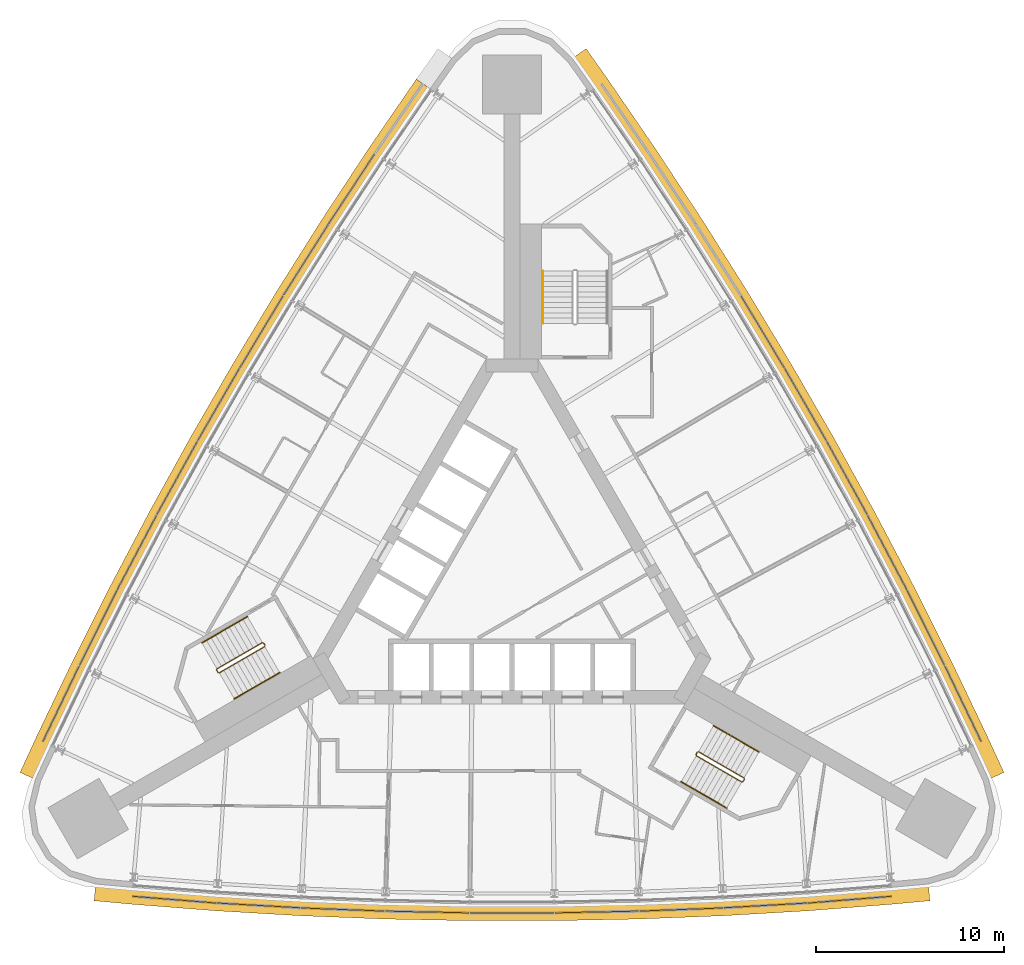
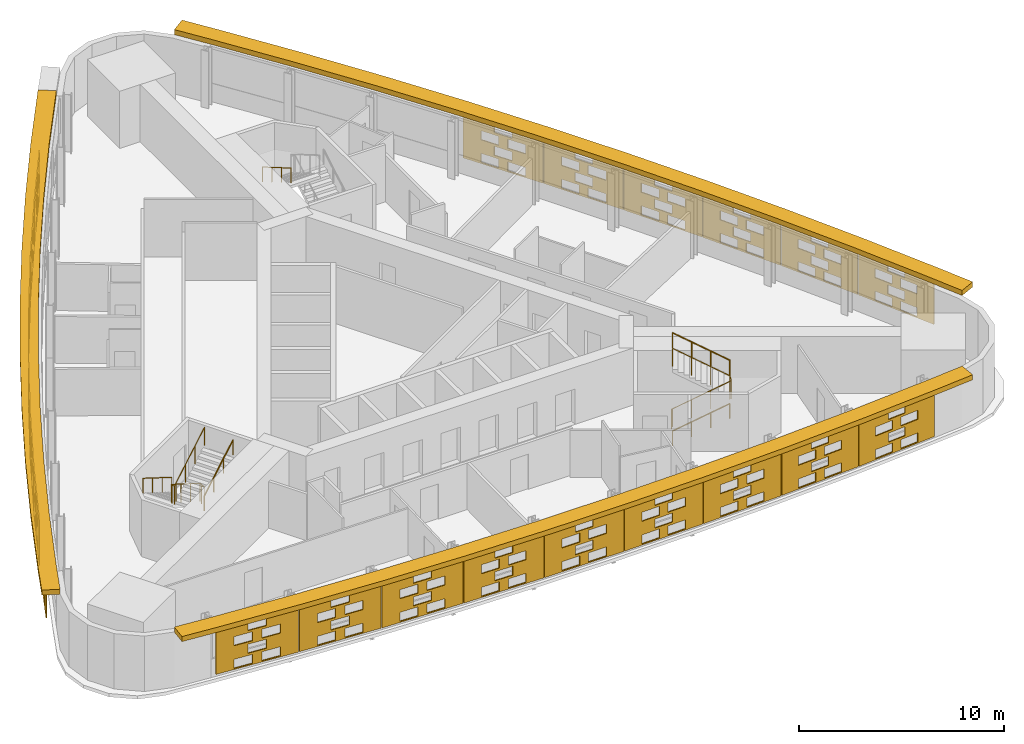
# One storey, part 12 of 13: 26 shading devices, 7 railings.
"""IFC4 building model written with IfcOpenShell, lengths in metres."""

import ifcopenshell
import ifcopenshell.guid

model = None  # the IFC model being written
_history = None  # IfcOwnerHistory: only IFC2X3 demands one
_inside = {}  # id of a spatial element -> (the spatial element, [elements in it])
_under = {}  # id of a project, library or spatial element -> (it, [spatial elements below it])
_declared = {}  # id of a project -> (the project, [libraries it declares])
_typed = {}  # id of a type object -> (the type object, [elements of that type])
_made_of = {}  # id of a material, layer set ... -> (it, [elements and type objects made of it])


def new_model(schema):
    """Start an empty IFC model of exactly this schema.

    Asked for "IFC4X3", IfcOpenShell would pick the latest addendum, in which some entities
    have other attributes; the version numbers below select the first issue.
    IFC2X3 requires an IfcOwnerHistory on every rooted entity: one is made here for all.
    """
    global model, _history
    if schema == "IFC4X3":
        model = ifcopenshell.file(schema_version=(4, 3, 0, 0))
    else:
        model = ifcopenshell.file(schema=schema)
    _inside.clear()
    _under.clear()
    _declared.clear()
    _typed.clear()
    _made_of.clear()
    _history = None
    if model.schema == "IFC2X3":
        org = make("IfcOrganization", Name="unknown")
        user = make(
            "IfcPersonAndOrganization",
            ThePerson=make("IfcPerson", FamilyName="unknown"),
            TheOrganization=org,
        )
        app = make(
            "IfcApplication",
            ApplicationDeveloper=org,
            Version="unknown",
            ApplicationFullName="unknown",
            ApplicationIdentifier="unknown",
        )
        _history = make(
            "IfcOwnerHistory",
            OwningUser=user,
            OwningApplication=app,
            ChangeAction="ADDED",
            CreationDate=0,
        )
    return model


def make(cls, **values):
    """One entity of the class cls with the attributes given. An attribute that is None is left unset."""
    return model.create_entity(
        cls, **{name: value for name, value in values.items() if value is not None}
    )


def rooted(cls, **values):
    """An entity with a GlobalId (a new one), such as an element, a storey or a relation."""
    return make(cls, GlobalId=ifcopenshell.guid.new(), OwnerHistory=_history, **values)


def si_unit(unit_type, name, prefix=None):
    """IfcSIUnit, for example si_unit("LENGTHUNIT", "METRE", prefix="MILLI")."""
    return make("IfcSIUnit", UnitType=unit_type, Prefix=prefix, Name=name)


def assignment(units):
    """IfcUnitAssignment: the units of a project."""
    return None if units is None else make("IfcUnitAssignment", Units=units)


def point(xyz):
    """IfcCartesianPoint."""
    return None if xyz is None else make("IfcCartesianPoint", Coordinates=xyz)


def direction(xyz):
    """IfcDirection."""
    return None if xyz is None else make("IfcDirection", DirectionRatios=xyz)


def frame(location, z_axis=None, x_axis=None):
    """IfcAxis2Placement3D, a coordinate frame: its origin and axes. An axis left out is left unset."""
    return make(
        "IfcAxis2Placement3D",
        Location=point(location),
        Axis=direction(z_axis),
        RefDirection=direction(x_axis),
    )


def frame_2d(location, x_axis=None):
    """IfcAxis2Placement2D, a coordinate frame in the plane: its origin and x axis."""
    return make(
        "IfcAxis2Placement2D", Location=point(location), RefDirection=direction(x_axis)
    )


def origin():
    """The frame at (0, 0, 0) with its axes left unset."""
    return frame((0.0, 0.0, 0.0))


def origin_2d():
    """The frame at (0, 0) in the plane with its x axis left unset."""
    return frame_2d((0.0, 0.0))


def place(relative_to, where):
    """IfcLocalPlacement: puts the frame where relative to a parent placement (None: the world)."""
    return make(
        "IfcLocalPlacement", PlacementRelTo=relative_to, RelativePlacement=where
    )


def context(
    kind, dimensions, precision=None, world=None, true_north=None, identifier=None
):
    """IfcGeometricRepresentationContext, for example the 3D "Model" context."""
    return make(
        "IfcGeometricRepresentationContext",
        ContextIdentifier=identifier,
        ContextType=kind,
        CoordinateSpaceDimension=dimensions,
        Precision=precision,
        WorldCoordinateSystem=world,
        TrueNorth=true_north,
    )


def subcontext(parent, identifier, kind, view, scale=None):
    """IfcGeometricRepresentationSubContext, for example "Body" below "Model"."""
    return make(
        "IfcGeometricRepresentationSubContext",
        ContextIdentifier=identifier,
        ContextType=kind,
        ParentContext=parent,
        TargetScale=scale,
        TargetView=view,
    )


def project(units=None, contexts=None):
    """IfcProject with its units and contexts."""
    return rooted(
        "IfcProject",
        Name="project",
        RepresentationContexts=contexts,
        UnitsInContext=assignment(units),
    )


def spatial(cls, under=None, at=None, **own):
    """A site, building, storey or space (cls), placed at a placement, below another one or the project."""
    s = rooted(cls, ObjectPlacement=at, **own)
    if under is not None:
        _under.setdefault(under.id(), (under, []))[1].append(s)
    return s


def polyline(points):
    """IfcPolyline through the points."""
    return make("IfcPolyline", Points=[point(p) for p in points])


def profile(cls, at=None, kind="AREA", **sizes):
    """A parametric profile (cls). Its sizes go by their IFC names, for example OverallWidth=200.0."""
    return make(cls, ProfileType=kind, Position=at, **sizes)


def circle(**sizes):
    """IfcCircleProfileDef."""
    return profile("IfcCircleProfileDef", **sizes)


def outline(outer, holes=None, kind="AREA"):
    """IfcArbitraryClosedProfileDef: a profile drawn as a closed curve; with holes, ...WithVoids."""
    if holes is None:
        return make("IfcArbitraryClosedProfileDef", ProfileType=kind, OuterCurve=outer)
    return make(
        "IfcArbitraryProfileDefWithVoids",
        ProfileType=kind,
        OuterCurve=outer,
        InnerCurves=holes,
    )


def extrude(swept, where, along, depth):
    """IfcExtrudedAreaSolid: the profile swept, set in the frame where, extruded along a direction by depth."""
    return make(
        "IfcExtrudedAreaSolid",
        SweptArea=swept,
        Position=where,
        ExtrudedDirection=direction(along),
        Depth=depth,
    )


def shape(context_of_items, identifier, shape_type, items):
    """IfcShapeRepresentation: the items that make up one representation, for example the "Body"."""
    return make(
        "IfcShapeRepresentation",
        ContextOfItems=context_of_items,
        RepresentationIdentifier=identifier,
        RepresentationType=shape_type,
        Items=items,
    )


def material(Name=None, Category=None):
    """IfcMaterial."""
    return make("IfcMaterial", Name=Name, Category=Category)


def material_profile(
    of_material, cross_section, Name=None, Category=None, Priority=None
):
    """IfcMaterialProfile: a cross section and its material."""
    return make(
        "IfcMaterialProfile",
        Name=Name,
        Material=of_material,
        Profile=cross_section,
        Priority=Priority,
        Category=Category,
    )


def profile_set(profiles, Name=None, composite=None):
    """IfcMaterialProfileSet."""
    return make(
        "IfcMaterialProfileSet",
        Name=Name,
        MaterialProfiles=profiles,
        CompositeProfile=composite,
    )


def made_of(thing, what):
    """Note that an element or type object is made of a material, layer set ...; save() writes the relation."""
    if what is not None:
        _made_of.setdefault(what.id(), (what, []))[1].append(thing)
    return thing


def type_object(cls, material=None, **own):
    """A type object (cls), such as IfcWallType, which elements share."""
    return made_of(rooted(cls, **own), material)


def element(
    cls,
    number,
    at=None,
    inside=None,
    cuts=None,
    type_object=None,
    material=None,
    context=None,
    identifier="Body",
    shape_type=None,
    held_by="IfcProductDefinitionShape",
    body=None,
    shapes=None,
    **own,
):
    """One element of the class cls, such as IfcWall. Its Tag is "e" and its number.

    at: its placement. inside: the storey or other place that contains it. cuts: it is an
    opening in that element (IfcRelVoidsElement). A single representation is given by context,
    identifier, shape_type and body (its items); several are given by shapes. held_by: the class
    of the entity that holds the representations. save() writes the other relations.
    """
    e = rooted(cls, Tag="e%d" % number, ObjectPlacement=at, **own)
    if body is not None:
        shapes = [shape(context, identifier, shape_type, body)]
    if shapes is not None:
        e.Representation = make(held_by, Representations=shapes)
    if inside is not None:
        _inside.setdefault(inside.id(), (inside, []))[1].append(e)
    if cuts is not None:
        rooted(
            "IfcRelVoidsElement", RelatingBuildingElement=cuts, RelatedOpeningElement=e
        )
    if type_object is not None:
        _typed.setdefault(type_object.id(), (type_object, []))[1].append(e)
    return made_of(e, material)


def aggregate(whole, parts):
    """IfcRelAggregates: a whole, such as a stair, and the parts it consists of."""
    return rooted("IfcRelAggregates", RelatingObject=whole, RelatedObjects=parts)


def save(model, path):
    """Write the relations noted so far, then the file.

    IfcRelAggregates (storeys below a building ...), IfcRelContainedInSpatialStructure (elements
    in a storey), IfcRelDefinesByType, IfcRelAssociatesMaterial and IfcRelDeclares: one each for
    every whole, place, type object, material and project.
    """
    for whole, parts in _under.values():
        aggregate(whole, parts)
    for where, things in _inside.values():
        rooted(
            "IfcRelContainedInSpatialStructure",
            RelatedElements=things,
            RelatingStructure=where,
        )
    for kind, things in _typed.values():
        rooted("IfcRelDefinesByType", RelatedObjects=things, RelatingType=kind)
    for what, things in _made_of.values():
        rooted("IfcRelAssociatesMaterial", RelatedObjects=things, RelatingMaterial=what)
    for by, libraries in _declared.values():
        rooted("IfcRelDeclares", RelatingContext=by, RelatedDefinitions=libraries)
    model.write(path)


model = new_model("IFC4")

# Units and contexts
model_context = context("Model", 3, precision=1e-05, world=origin(), true_north=direction((0.0, 1.0)))
body_context = subcontext(model_context, "Body", "Model", "MODEL_VIEW")
ifc_project = project(units=[si_unit("LENGTHUNIT", "METRE"), si_unit("AREAUNIT", "SQUARE_METRE"), si_unit("VOLUMEUNIT", "CUBIC_METRE"), si_unit("PLANEANGLEUNIT", "RADIAN"), si_unit("MASSUNIT", "GRAM", prefix="KILO")], contexts=[model_context])

# Site, building, storey
site_placement = place(None, origin())
site = spatial("IfcSite", under=ifc_project, at=site_placement, CompositionType="ELEMENT")
building_placement = place(site_placement, origin())
building = spatial("IfcBuilding", under=site, at=building_placement, Name="Noor Cloister Tower", CompositionType="ELEMENT")
storey_placement = place(building_placement, frame((0.0, 0.0, 79.800048828125)))
storey = spatial("IfcBuildingStorey", under=building, at=storey_placement, Name="L20", CompositionType="ELEMENT", Elevation=79.800048828125)

# Shading devices
ifc_material_1 = material(Name="Limestone", Category="masonry")
ifc_material_profile = material_profile(ifc_material_1, outline(polyline([(-2.22998046875, -1.35009765625), (2.22998046875, -1.35009765625), (2.22998046875, 1.35009765625), (-2.22998046875, 1.35009765625), (-2.22998046875, -1.35009765625)]), holes=[polyline([(-1.25, -1.282470703125), (-0.25, -1.282470703125), (-0.25, -0.742431640625), (-1.25, -0.742431640625), (-1.25, -1.282470703125)]), polyline([(0.25, -1.282470703125), (1.25, -1.282470703125), (1.25, -0.742431640625), (0.25, -0.742431640625), (0.25, -1.282470703125)]), polyline([(-0.5, -0.607421875), (0.5, -0.607421875), (0.5, -0.0673828125), (-0.5, -0.0673828125), (-0.5, -0.607421875)]), polyline([(-1.25, 0.0673828125), (-0.25, 0.0673828125), (-0.25, 0.607421875), (-1.25, 0.607421875), (-1.25, 0.0673828125)]), polyline([(0.25, 0.0673828125), (1.25, 0.0673828125), (1.25, 0.607421875), (0.25, 0.607421875), (0.25, 0.0673828125)]), polyline([(-0.5, 0.742431640625), (0.5, 0.742431640625), (0.5, 1.282470703125), (-0.5, 1.282470703125), (-0.5, 0.742431640625)])]), Name="Woven screen 28 percent open")
ifc_profile_set = profile_set([ifc_material_profile], Name="Limestone")
shading_device_type_1 = type_object("IfcShadingDeviceType", Name="SCREEN woven limestone 28 percent open", PredefinedType="USERDEFINED", material=ifc_profile_set)
for number, where, z_axis, x_axis, name in (
    (1, (-8.523681640625, 20.5302734375, 1.849853515625), (-0.83517086482, 0.549990569516, 0.0), (-0.549990569516, -0.83517086482, 0.0), "SCREEN L20 2"),
    (2, (-10.96533203125, 16.740234375, 1.849853515625), (-0.845003547232, 0.534760698973, 0.0), (-0.534760698973, -0.845003547232, 0.0), "SCREEN L20 3"),
):
    element("IfcShadingDevice", number, at=place(storey_placement, frame(where, z_axis=z_axis, x_axis=x_axis)), inside=storey, type_object=shading_device_type_1, Name=name, ObjectType="SCREEN", PredefinedType="USERDEFINED", context=body_context, shape_type="SweptSolid", body=[
        extrude(outline(polyline([(-2.22998046875, -1.35009765625), (2.22998046875, -1.35009765625), (2.22998046875, 1.35009765625), (-2.22998046875, 1.35009765625), (-2.22998046875, -1.35009765625)]), holes=[polyline([(-1.25, -1.282470703125), (-0.25, -1.282470703125), (-0.25, -0.742431640625), (-1.25, -0.742431640625), (-1.25, -1.282470703125)]), polyline([(0.25, -1.282470703125), (1.25, -1.282470703125), (1.25, -0.742431640625), (0.25, -0.742431640625), (0.25, -1.282470703125)]), polyline([(-0.5, -0.607421875), (0.5, -0.607421875), (0.5, -0.0673828125), (-0.5, -0.0673828125), (-0.5, -0.607421875)]), polyline([(-1.25, 0.0673828125), (-0.25, 0.0673828125), (-0.25, 0.607421875), (-1.25, 0.607421875), (-1.25, 0.0673828125)]), polyline([(0.25, 0.0673828125), (1.25, 0.0673828125), (1.25, 0.607421875), (0.25, 0.607421875), (0.25, 0.0673828125)]), polyline([(-0.5, 0.742431640625), (0.5, 0.742431640625), (0.5, 1.282470703125), (-0.5, 1.282470703125), (-0.5, 0.742431640625)])]), origin(), (0.0, 0.0, 1.0), 0.059814453125),
    ])
for number, where, z_axis, x_axis, name in (
    (3, (-13.33251953125, 12.9033203125, 1.849853515625), (-0.856775526833, 0.515689535108, 0.0), (-0.515689535108, -0.856775526833, 0.0), "SCREEN L20 4"),
    (4, (-15.624755859375, 9.02099609375, 1.849853515625), (-0.865982457891, 0.500074377092, 0.0), (-0.500074377092, -0.865982457891, 0.0), "SCREEN L20 5"),
    (5, (-17.8408203125, 5.0947265625, 1.849853515625), (-0.874923997532, 0.484260259099, 0.0), (-0.484260259099, -0.874923997532, 0.0), "SCREEN L20 6"),
    (6, (-19.97998046875, 1.1259765625, 1.849853515625), (-0.88447777995, 0.466582315111, 0.0), (-0.466582315111, -0.88447777995, 0.0), "SCREEN L20 7"),
    (7, (-22.04150390625, -2.883544921875, 1.849853515625), (-0.894427191, 0.4472135955, 0.0), (-0.4472135955, -0.894427191, 0.0), "SCREEN L20 8"),
):
    element("IfcShadingDevice", number, at=place(storey_placement, frame(where, z_axis=z_axis, x_axis=x_axis)), inside=storey, type_object=shading_device_type_1, Name=name, ObjectType="SCREEN", PredefinedType="USERDEFINED", context=body_context, shape_type="SweptSolid", body=[
        extrude(outline(polyline([(-2.22998046875, -1.35009765625), (2.22998046875, -1.35009765625), (2.22998046875, 1.35009765625), (-2.22998046875, 1.35009765625), (-2.22998046875, -1.35009765625)]), holes=[polyline([(-1.25, -1.282470703125), (-0.25, -1.282470703125), (-0.25, -0.742431640625), (-1.25, -0.742431640625), (-1.25, -1.282470703125)]), polyline([(0.25, -1.282470703125), (1.25, -1.282470703125), (1.25, -0.742431640625), (0.25, -0.742431640625), (0.25, -1.282470703125)]), polyline([(-0.5, -0.607421875), (0.5, -0.607421875), (0.5, -0.0673828125), (-0.5, -0.0673828125), (-0.5, -0.607421875)]), polyline([(-1.25, 0.0673828125), (-0.25, 0.0673828125), (-0.25, 0.607421875), (-1.25, 0.607421875), (-1.25, 0.0673828125)]), polyline([(0.25, 0.0673828125), (1.25, 0.0673828125), (1.25, 0.607421875), (0.25, 0.607421875), (0.25, 0.0673828125)]), polyline([(-0.5, 0.742431640625), (0.5, 0.742431640625), (0.5, 1.282470703125), (-0.5, 1.282470703125), (-0.5, 0.742431640625)])]), origin(), (0.0, 0.0, 1.0), 0.06005859375),
    ])
shading_device_1_placement = place(storey_placement, frame((-24.024658203125, -6.932373046875, 1.849853515625), z_axis=(-0.901650348454, 0.432465777991, 0.0), x_axis=(-0.432465777991, -0.901650348454, 0.0)))
element("IfcShadingDevice", 8, at=shading_device_1_placement, inside=storey, type_object=shading_device_type_1, Name="SCREEN L20 9", ObjectType="SCREEN", PredefinedType="USERDEFINED", context=body_context, shape_type="SweptSolid", body=[
    extrude(outline(polyline([(-2.22998046875, -1.35009765625), (2.22998046875, -1.35009765625), (2.22998046875, 1.35009765625), (-2.22998046875, 1.35009765625), (-2.22998046875, -1.35009765625)]), holes=[polyline([(-1.25, -1.282470703125), (-0.25, -1.282470703125), (-0.25, -0.742431640625), (-1.25, -0.742431640625), (-1.25, -1.282470703125)]), polyline([(0.25, -1.282470703125), (1.25, -1.282470703125), (1.25, -0.742431640625), (0.25, -0.742431640625), (0.25, -1.282470703125)]), polyline([(-0.5, -0.607421875), (0.5, -0.607421875), (0.5, -0.0673828125), (-0.5, -0.0673828125), (-0.5, -0.607421875)]), polyline([(-1.25, 0.0673828125), (-0.25, 0.0673828125), (-0.25, 0.607421875), (-1.25, 0.607421875), (-1.25, 0.0673828125)]), polyline([(0.25, 0.0673828125), (1.25, 0.0673828125), (1.25, 0.607421875), (0.25, 0.607421875), (0.25, 0.0673828125)]), polyline([(-0.5, 0.742431640625), (0.5, 0.742431640625), (0.5, 1.282470703125), (-0.5, 1.282470703125), (-0.5, 0.742431640625)])]), origin(), (0.0, 0.0, 1.0), 0.059814453125),
])
for number, where, z_axis, x_axis, name in (
    (9, (-18.015869140625, -17.339599609375, 1.849853515625), (-0.081362009455, -0.996684615823, 0.0), (0.996684615823, -0.081362009455, 0.0), "SCREEN L20 1"),
    (10, (-13.51806640625, -17.646728515625, 1.849853515625), (-0.056818631031, -0.998384516691, 0.0), (0.998384516691, -0.056818631031, 0.0), "SCREEN L20 2"),
    (11, (-9.014892578125, -17.8662109375, 1.849853515625), (-0.036560905851, -0.999331426586, 0.0), (0.999331426586, -0.036560905851, 0.0), "SCREEN L20 3"),
):
    element("IfcShadingDevice", number, at=place(storey_placement, frame(where, z_axis=z_axis, x_axis=x_axis)), inside=storey, type_object=shading_device_type_1, Name=name, ObjectType="SCREEN", PredefinedType="USERDEFINED", context=body_context, shape_type="SweptSolid", body=[
        extrude(outline(polyline([(-2.22998046875, -1.35009765625), (2.22998046875, -1.35009765625), (2.22998046875, 1.35009765625), (-2.22998046875, 1.35009765625), (-2.22998046875, -1.35009765625)]), holes=[polyline([(-1.25, -1.282470703125), (-0.25, -1.282470703125), (-0.25, -0.742431640625), (-1.25, -0.742431640625), (-1.25, -1.282470703125)]), polyline([(0.25, -1.282470703125), (1.25, -1.282470703125), (1.25, -0.742431640625), (0.25, -0.742431640625), (0.25, -1.282470703125)]), polyline([(-0.5, -0.607421875), (0.5, -0.607421875), (0.5, -0.0673828125), (-0.5, -0.0673828125), (-0.5, -0.607421875)]), polyline([(-1.25, 0.0673828125), (-0.25, 0.0673828125), (-0.25, 0.607421875), (-1.25, 0.607421875), (-1.25, 0.0673828125)]), polyline([(0.25, 0.0673828125), (1.25, 0.0673828125), (1.25, 0.607421875), (0.25, 0.607421875), (0.25, 0.0673828125)]), polyline([(-0.5, 0.742431640625), (0.5, 0.742431640625), (0.5, 1.282470703125), (-0.5, 1.282470703125), (-0.5, 0.742431640625)])]), origin(), (0.0, 0.0, 1.0), 0.06005859375),
    ])
for number, where, z_axis, x_axis, name in (
    (12, (-4.50830078125, -17.998046875, 1.849853515625), (-0.020403914663, -0.999791818463, 0.0), (0.999791818463, -0.020403914663, 0.0), "SCREEN L20 4"),
    (13, (0.0, -18.0419921875, 1.849853515625), (0.0, -1.0, 0.0), (1.0, 0.0, 0.0), "SCREEN L20 5"),
    (14, (4.50830078125, -17.998046875, 1.849853515625), (0.020403914663, -0.999791818463, 0.0), (0.999791818463, 0.020403914663, 0.0), "SCREEN L20 6"),
):
    element("IfcShadingDevice", number, at=place(storey_placement, frame(where, z_axis=z_axis, x_axis=x_axis)), inside=storey, type_object=shading_device_type_1, Name=name, ObjectType="SCREEN", PredefinedType="USERDEFINED", context=body_context, shape_type="SweptSolid", body=[
        extrude(outline(polyline([(-2.22998046875, -1.35009765625), (2.22998046875, -1.35009765625), (2.22998046875, 1.35009765625), (-2.22998046875, 1.35009765625), (-2.22998046875, -1.35009765625)]), holes=[polyline([(-1.25, -1.282470703125), (-0.25, -1.282470703125), (-0.25, -0.742431640625), (-1.25, -0.742431640625), (-1.25, -1.282470703125)]), polyline([(0.25, -1.282470703125), (1.25, -1.282470703125), (1.25, -0.742431640625), (0.25, -0.742431640625), (0.25, -1.282470703125)]), polyline([(-0.5, -0.607421875), (0.5, -0.607421875), (0.5, -0.0673828125), (-0.5, -0.0673828125), (-0.5, -0.607421875)]), polyline([(-1.25, 0.0673828125), (-0.25, 0.0673828125), (-0.25, 0.607421875), (-1.25, 0.607421875), (-1.25, 0.0673828125)]), polyline([(0.25, 0.0673828125), (1.25, 0.0673828125), (1.25, 0.607421875), (0.25, 0.607421875), (0.25, 0.0673828125)]), polyline([(-0.5, 0.742431640625), (0.5, 0.742431640625), (0.5, 1.282470703125), (-0.5, 1.282470703125), (-0.5, 0.742431640625)])]), origin(), (0.0, 0.0, 1.0), 0.059814453125),
    ])
for number, where, z_axis, x_axis, name in (
    (15, (9.014892578125, -17.8662109375, 1.849853515625), (0.036560905851, -0.999331426586, 0.0), (0.999331426586, 0.036560905851, 0.0), "SCREEN L20 7"),
    (16, (13.51806640625, -17.646728515625, 1.849853515625), (0.056818631031, -0.998384516691, 0.0), (0.998384516691, 0.056818631031, 0.0), "SCREEN L20 8"),
    (17, (18.015869140625, -17.339599609375, 1.849853515625), (0.081362009455, -0.996684615823, 0.0), (0.996684615823, 0.081362009455, 0.0), "SCREEN L20 9"),
):
    element("IfcShadingDevice", number, at=place(storey_placement, frame(where, z_axis=z_axis, x_axis=x_axis)), inside=storey, type_object=shading_device_type_1, Name=name, ObjectType="SCREEN", PredefinedType="USERDEFINED", context=body_context, shape_type="SweptSolid", body=[
        extrude(outline(polyline([(-2.22998046875, -1.35009765625), (2.22998046875, -1.35009765625), (2.22998046875, 1.35009765625), (-2.22998046875, 1.35009765625), (-2.22998046875, -1.35009765625)]), holes=[polyline([(-1.25, -1.282470703125), (-0.25, -1.282470703125), (-0.25, -0.742431640625), (-1.25, -0.742431640625), (-1.25, -1.282470703125)]), polyline([(0.25, -1.282470703125), (1.25, -1.282470703125), (1.25, -0.742431640625), (0.25, -0.742431640625), (0.25, -1.282470703125)]), polyline([(-0.5, -0.607421875), (0.5, -0.607421875), (0.5, -0.0673828125), (-0.5, -0.0673828125), (-0.5, -0.607421875)]), polyline([(-1.25, 0.0673828125), (-0.25, 0.0673828125), (-0.25, 0.607421875), (-1.25, 0.607421875), (-1.25, 0.0673828125)]), polyline([(0.25, 0.0673828125), (1.25, 0.0673828125), (1.25, 0.607421875), (0.25, 0.607421875), (0.25, 0.0673828125)]), polyline([(-0.5, 0.742431640625), (0.5, 0.742431640625), (0.5, 1.282470703125), (-0.5, 1.282470703125), (-0.5, 0.742431640625)])]), origin(), (0.0, 0.0, 1.0), 0.06005859375),
    ])
shading_device_2_placement = place(storey_placement, frame((24.024658203125, -6.932373046875, 1.849853515625), z_axis=(0.901650348454, 0.432465777991, 0.0), x_axis=(-0.432465777991, 0.901650348454, 0.0)))
element("IfcShadingDevice", 18, at=shading_device_2_placement, inside=storey, type_object=shading_device_type_1, Name="SCREEN L20 1", ObjectType="SCREEN", PredefinedType="USERDEFINED", context=body_context, shape_type="SweptSolid", body=[
    extrude(outline(polyline([(-2.22998046875, -1.35009765625), (2.22998046875, -1.35009765625), (2.22998046875, 1.35009765625), (-2.22998046875, 1.35009765625), (-2.22998046875, -1.35009765625)]), holes=[polyline([(-1.25, -1.282470703125), (-0.25, -1.282470703125), (-0.25, -0.742431640625), (-1.25, -0.742431640625), (-1.25, -1.282470703125)]), polyline([(0.25, -1.282470703125), (1.25, -1.282470703125), (1.25, -0.742431640625), (0.25, -0.742431640625), (0.25, -1.282470703125)]), polyline([(-0.5, -0.607421875), (0.5, -0.607421875), (0.5, -0.0673828125), (-0.5, -0.0673828125), (-0.5, -0.607421875)]), polyline([(-1.25, 0.0673828125), (-0.25, 0.0673828125), (-0.25, 0.607421875), (-1.25, 0.607421875), (-1.25, 0.0673828125)]), polyline([(0.25, 0.0673828125), (1.25, 0.0673828125), (1.25, 0.607421875), (0.25, 0.607421875), (0.25, 0.0673828125)]), polyline([(-0.5, 0.742431640625), (0.5, 0.742431640625), (0.5, 1.282470703125), (-0.5, 1.282470703125), (-0.5, 0.742431640625)])]), origin(), (0.0, 0.0, 1.0), 0.059814453125),
])
for number, where, z_axis, x_axis, name in (
    (19, (22.04150390625, -2.883544921875, 1.849853515625), (0.894427191, 0.4472135955, 0.0), (-0.4472135955, 0.894427191, 0.0), "SCREEN L20 2"),
    (20, (19.97998046875, 1.1259765625, 1.849853515625), (0.88447777995, 0.466582315111, 0.0), (-0.466582315111, 0.88447777995, 0.0), "SCREEN L20 3"),
    (21, (17.8408203125, 5.0947265625, 1.849853515625), (0.874923997532, 0.484260259099, 0.0), (-0.484260259099, 0.874923997532, 0.0), "SCREEN L20 4"),
    (22, (15.624755859375, 9.02099609375, 1.849853515625), (0.865982457891, 0.500074377092, 0.0), (-0.500074377092, 0.865982457891, 0.0), "SCREEN L20 5"),
    (23, (13.33251953125, 12.9033203125, 1.849853515625), (0.856775526833, 0.515689535108, 0.0), (-0.515689535108, 0.856775526833, 0.0), "SCREEN L20 6"),
):
    element("IfcShadingDevice", number, at=place(storey_placement, frame(where, z_axis=z_axis, x_axis=x_axis)), inside=storey, type_object=shading_device_type_1, Name=name, ObjectType="SCREEN", PredefinedType="USERDEFINED", context=body_context, shape_type="SweptSolid", body=[
        extrude(outline(polyline([(-2.22998046875, -1.35009765625), (2.22998046875, -1.35009765625), (2.22998046875, 1.35009765625), (-2.22998046875, 1.35009765625), (-2.22998046875, -1.35009765625)]), holes=[polyline([(-1.25, -1.282470703125), (-0.25, -1.282470703125), (-0.25, -0.742431640625), (-1.25, -0.742431640625), (-1.25, -1.282470703125)]), polyline([(0.25, -1.282470703125), (1.25, -1.282470703125), (1.25, -0.742431640625), (0.25, -0.742431640625), (0.25, -1.282470703125)]), polyline([(-0.5, -0.607421875), (0.5, -0.607421875), (0.5, -0.0673828125), (-0.5, -0.0673828125), (-0.5, -0.607421875)]), polyline([(-1.25, 0.0673828125), (-0.25, 0.0673828125), (-0.25, 0.607421875), (-1.25, 0.607421875), (-1.25, 0.0673828125)]), polyline([(0.25, 0.0673828125), (1.25, 0.0673828125), (1.25, 0.607421875), (0.25, 0.607421875), (0.25, 0.0673828125)]), polyline([(-0.5, 0.742431640625), (0.5, 0.742431640625), (0.5, 1.282470703125), (-0.5, 1.282470703125), (-0.5, 0.742431640625)])]), origin(), (0.0, 0.0, 1.0), 0.06005859375),
    ])
ifc_material_2 = material(Name="Limestone", Category="masonry")
shading_device_type_2 = type_object("IfcShadingDeviceType", Name="SUNSHADE limestone band 900", PredefinedType="USERDEFINED", material=ifc_material_2)
shading_device_3_placement = place(storey_placement, frame((0.0, 0.0, 3.300048828125)))
element("IfcShadingDevice", 24, at=shading_device_3_placement, inside=storey, type_object=shading_device_type_2, Name="SUNSHADE L20 1", ObjectType="SUNSHADE", PredefinedType="USERDEFINED", context=body_context, shape_type="SweptSolid", body=[
    extrude(outline(polyline([(-5.1064453125, 26.3818359375), (-7.65771484375, 22.66455078125), (-10.14111328125, 18.890869140625), (-12.550537109375, 15.069580078125), (-14.885009765625, 11.2021484375), (-17.143798828125, 7.289794921875), (-19.325927734375, 3.334228515625), (-21.430419921875, -0.662841796875), (-23.456787109375, -4.700439453125), (-25.403076171875, -8.7744140625), (-26.2373046875, -10.585205078125), (-25.419921875, -10.961669921875), (-24.58837890625, -9.15673828125), (-22.648681640625, -5.09619140625), (-20.630126953125, -1.074462890625), (-18.53369140625, 2.9072265625), (-16.360107421875, 6.847412109375), (-14.110107421875, 10.744384765625), (-11.78466796875, 14.596923828125), (-9.384521484375, 18.4033203125), (-6.910888671875, 22.162353515625), (-4.3642578125, 25.87255859375), (-5.1064453125, 26.3818359375)])), origin(), (0.0, 0.0, 1.0), 0.2998046875),
])
shading_device_4_placement = place(storey_placement, frame((0.0, 0.0, 3.300048828125)))
element("IfcShadingDevice", 25, at=shading_device_4_placement, inside=storey, type_object=shading_device_type_2, Name="SUNSHADE L20 2", ObjectType="SUNSHADE", PredefinedType="USERDEFINED", context=body_context, shape_type="SweptSolid", body=[
    extrude(outline(polyline([(-22.28564453125, -17.429443359375), (-20.300537109375, -17.612548828125), (-15.799072265625, -17.964111328125), (-11.289306640625, -18.22802734375), (-6.775390625, -18.40380859375), (-2.2587890625, -18.491943359375), (2.2587890625, -18.491943359375), (6.775390625, -18.40380859375), (11.289306640625, -18.22802734375), (15.799072265625, -17.964111328125), (20.300537109375, -17.612548828125), (22.28564453125, -17.429443359375), (22.203125, -16.533447265625), (20.22412109375, -16.7158203125), (15.73779296875, -17.066162109375), (11.24560546875, -17.328857421875), (6.7490234375, -17.504150390625), (2.25, -17.591796875), (-2.25, -17.591796875), (-6.7490234375, -17.504150390625), (-11.24560546875, -17.328857421875), (-15.73779296875, -17.066162109375), (-20.22412109375, -16.7158203125), (-22.203125, -16.533447265625), (-22.28564453125, -17.429443359375)])), origin(), (0.0, 0.0, 1.0), 0.2998046875),
])
shading_device_5_placement = place(storey_placement, frame((0.0, 0.0, 3.300048828125)))
element("IfcShadingDevice", 26, at=shading_device_5_placement, inside=storey, type_object=shading_device_type_2, Name="SUNSHADE L20 3", ObjectType="SUNSHADE", PredefinedType="USERDEFINED", context=body_context, shape_type="SweptSolid", body=[
    extrude(outline(polyline([(26.2373046875, -10.585205078125), (25.403076171875, -8.7744140625), (23.456787109375, -4.700439453125), (21.430419921875, -0.662841796875), (19.325927734375, 3.334228515625), (17.143798828125, 7.289794921875), (14.885009765625, 11.2021484375), (12.550537109375, 15.069580078125), (10.14111328125, 18.890869140625), (7.65771484375, 22.66455078125), (5.102783203125, 26.386962890625), (3.95166015625, 28.0146484375), (3.216796875, 27.4951171875), (4.3642578125, 25.87255859375), (6.910888671875, 22.162353515625), (9.384521484375, 18.4033203125), (11.78466796875, 14.596923828125), (14.110107421875, 10.744384765625), (16.360107421875, 6.847412109375), (18.53369140625, 2.9072265625), (20.630126953125, -1.074462890625), (22.648681640625, -5.09619140625), (24.58837890625, -9.15673828125), (25.419921875, -10.961669921875), (26.2373046875, -10.585205078125)])), origin(), (0.0, 0.0, 1.0), 0.2998046875),
])

# Railings
ifc_material_3 = material(Name="Stainless steel", Category="steel")
railing_type_1 = type_object("IfcRailingType", Name="Stair guard 1100", PredefinedType="GUARDRAIL", material=ifc_material_3)
railing_1_placement = place(storey_placement, frame((-13.241455078125, -3.677734375, 0.0)))
element("IfcRailing", 27, at=railing_1_placement, inside=storey, type_object=railing_type_1, Name="Stair guard ST2 L20", PredefinedType="GUARDRAIL", context=body_context, shape_type="SweptSolid", body=[
    extrude(circle(Radius=0.02392578125, at=origin_2d()), frame((0.0, 0.0, 1.076171875), z_axis=(0.499112439033, -0.866537231285, 0.0), x_axis=(0.866537231285, 0.499112439033, 0.0)), (0.0, 0.0, 1.0), 0.150146484375),
    extrude(circle(Radius=0.02392578125, at=origin_2d()), frame((0.074951171875, -0.130126953125, 1.076171875), z_axis=(-0.544565797804, 0.563119998752, 0.621565731736), x_axis=(-0.718850276695, -0.695164929852, 0.0)), (0.0, 0.0, 1.0), 0.26318359375),
    extrude(circle(Radius=0.02392578125, at=origin_2d()), frame((-0.068359375, 0.01806640625, 1.23974609375), z_axis=(-0.747689811644, -0.431660630283, 0.504607813879), x_axis=(0.49998411664, -0.866034573852, 0.0)), (0.0, 0.0, 1.0), 3.2431640625),
    extrude(circle(Radius=0.02392578125, at=origin_2d()), frame((-2.4931640625, -1.3818359375, 2.8759765625), z_axis=(-0.258736085224, -0.965948051503, 0.0), x_axis=(0.965948051503, -0.258736085224, 0.0)), (0.0, 0.0, 1.0), 0.07080078125),
    extrude(circle(Radius=0.02392578125, at=origin_2d()), frame((-2.511474609375, -1.4501953125, 2.8759765625), z_axis=(0.499816412211, -0.866131372301, 0.0), x_axis=(0.866131372301, 0.499816412211, 0.0)), (0.0, 0.0, 1.0), 0.14990234375),
    extrude(circle(Radius=0.02392578125, at=origin_2d()), frame((-2.4365234375, -1.580078125, 2.8759765625), z_axis=(0.383552647116, -0.102737316192, 0.917786691313), x_axis=(0.258736085224, 0.965948051503, 0.0)), (0.0, 0.0, 1.0), 0.17822265625),
    extrude(circle(Radius=0.02392578125, at=origin_2d()), frame((-2.3681640625, -1.598388671875, 3.03955078125), z_axis=(0.747693913401, 0.431738279637, 0.504535300807), x_axis=(-0.500049511043, 0.865996816683, 0.0)), (0.0, 0.0, 1.0), 3.2431640625),
    extrude(circle(Radius=0.02099609375, at=origin_2d()), origin(), (0.0, 0.0, 1.0), 1.052001953125),
    extrude(circle(Radius=0.02099609375, at=origin_2d()), frame((0.074951171875, -0.130126953125, 0.0)), (0.0, 0.0, 1.0), 1.052001953125),
    extrude(circle(Radius=0.02099609375, at=origin_2d()), frame((-0.068359375, 0.01806640625, 0.16357421875)), (0.0, 0.0, 1.0), 1.052001953125),
    extrude(circle(Radius=0.02099609375, at=origin_2d()), frame((-0.876708984375, -0.448486328125, 0.708984375)), (0.0, 0.0, 1.0), 1.052001953125),
    extrude(circle(Radius=0.02099609375, at=origin_2d()), frame((-1.684814453125, -0.915283203125, 1.254638671875)), (0.0, 0.0, 1.0), 1.052001953125),
    extrude(circle(Radius=0.02099609375, at=origin_2d()), frame((-2.4931640625, -1.3818359375, 1.800048828125)), (0.0, 0.0, 1.0), 1.052001953125),
    extrude(circle(Radius=0.02099609375, at=origin_2d()), frame((-2.511474609375, -1.4501953125, 1.800048828125)), (0.0, 0.0, 1.0), 1.052001953125),
    extrude(circle(Radius=0.02099609375, at=origin_2d()), frame((-2.4365234375, -1.580078125, 1.800048828125)), (0.0, 0.0, 1.0), 1.052001953125),
    extrude(circle(Radius=0.02099609375, at=origin_2d()), frame((-2.3681640625, -1.598388671875, 1.963623046875)), (0.0, 0.0, 1.0), 1.052001953125),
    extrude(circle(Radius=0.02099609375, at=origin_2d()), frame((-1.559814453125, -1.131591796875, 2.509033203125)), (0.0, 0.0, 1.0), 1.052001953125),
    extrude(circle(Radius=0.02099609375, at=origin_2d()), frame((-0.751708984375, -0.6650390625, 3.054443359375)), (0.0, 0.0, 1.0), 1.052001953125),
    extrude(circle(Radius=0.02099609375, at=origin_2d()), frame((0.056640625, -0.1982421875, 3.599853515625)), (0.0, 0.0, 1.0), 1.052001953125),
])
railing_2_placement = place(storey_placement, frame((9.805908203125, -9.628662109375, 0.0)))
element("IfcRailing", 28, at=railing_2_placement, inside=storey, type_object=railing_type_1, Name="Stair guard ST3 L20", PredefinedType="GUARDRAIL", context=body_context, shape_type="SweptSolid", body=[
    extrude(circle(Radius=0.02392578125, at=origin_2d()), frame((0.0, 0.0, 1.076171875), z_axis=(0.499112439033, 0.866537231285, 0.0), x_axis=(-0.866537231285, 0.499112439033, 0.0)), (0.0, 0.0, 1.0), 0.150146484375),
    extrude(circle(Radius=0.02392578125, at=origin_2d()), frame((0.074951171875, 0.130126953125, 1.076171875), z_axis=(-0.215214839654, -0.753251938789, 0.621525614518), x_axis=(0.961523947641, -0.274721127897, 0.0)), (0.0, 0.0, 1.0), 0.26318359375),
    extrude(circle(Radius=0.02392578125, at=origin_2d()), frame((0.018310546875, -0.068115234375, 1.23974609375), z_axis=(0.747665513933, -0.431721881032, 0.504591415616), x_axis=(0.500049511043, 0.865996816683, 0.0)), (0.0, 0.0, 1.0), 3.2431640625),
    extrude(circle(Radius=0.02392578125, at=origin_2d()), frame((2.443115234375, -1.46826171875, 2.8759765625), z_axis=(0.965948051503, 0.258736085224, 0.0), x_axis=(-0.258736085224, 0.965948051503, 0.0)), (0.0, 0.0, 1.0), 0.07080078125),
    extrude(circle(Radius=0.02392578125, at=origin_2d()), frame((2.511474609375, -1.449951171875, 2.8759765625), z_axis=(0.499816412211, 0.866131372301, 0.0), x_axis=(-0.866131372301, 0.499816412211, 0.0)), (0.0, 0.0, 1.0), 0.14990234375),
    extrude(circle(Radius=0.02392578125, at=origin_2d()), frame((2.58642578125, -1.320068359375, 2.8759765625), z_axis=(-0.102737316192, 0.383552647116, 0.917786691313), x_axis=(-0.965948051503, -0.258736085224, 0.0)), (0.0, 0.0, 1.0), 0.17822265625),
    extrude(circle(Radius=0.02392578125, at=origin_2d()), frame((2.568115234375, -1.251708984375, 3.03955078125), z_axis=(-0.74771821388, 0.431677027627, 0.504551698492), x_axis=(-0.49998411664, -0.866034573852, 0.0)), (0.0, 0.0, 1.0), 3.242919921875),
    extrude(circle(Radius=0.02099609375, at=origin_2d()), origin(), (0.0, 0.0, 1.0), 1.052001953125),
    extrude(circle(Radius=0.02099609375, at=origin_2d()), frame((0.074951171875, 0.130126953125, 0.0)), (0.0, 0.0, 1.0), 1.052001953125),
    extrude(circle(Radius=0.02099609375, at=origin_2d()), frame((0.018310546875, -0.068115234375, 0.16357421875)), (0.0, 0.0, 1.0), 1.052001953125),
    extrude(circle(Radius=0.02099609375, at=origin_2d()), frame((0.82666015625, -0.534912109375, 0.708984375)), (0.0, 0.0, 1.0), 1.052001953125),
    extrude(circle(Radius=0.02099609375, at=origin_2d()), frame((1.634765625, -1.00146484375, 1.254638671875)), (0.0, 0.0, 1.0), 1.052001953125),
    extrude(circle(Radius=0.02099609375, at=origin_2d()), frame((2.443115234375, -1.46826171875, 1.800048828125)), (0.0, 0.0, 1.0), 1.052001953125),
    extrude(circle(Radius=0.02099609375, at=origin_2d()), frame((2.511474609375, -1.449951171875, 1.800048828125)), (0.0, 0.0, 1.0), 1.052001953125),
    extrude(circle(Radius=0.02099609375, at=origin_2d()), frame((2.58642578125, -1.320068359375, 1.800048828125)), (0.0, 0.0, 1.0), 1.052001953125),
    extrude(circle(Radius=0.02099609375, at=origin_2d()), frame((2.568115234375, -1.251708984375, 1.963623046875)), (0.0, 0.0, 1.0), 1.052001953125),
    extrude(circle(Radius=0.02099609375, at=origin_2d()), frame((1.759765625, -0.78515625, 2.509033203125)), (0.0, 0.0, 1.0), 1.052001953125),
    extrude(circle(Radius=0.02099609375, at=origin_2d()), frame((0.95166015625, -0.318359375, 3.054443359375)), (0.0, 0.0, 1.0), 1.052001953125),
    extrude(circle(Radius=0.02099609375, at=origin_2d()), frame((0.143310546875, 0.148193359375, 3.599853515625)), (0.0, 0.0, 1.0), 1.052001953125),
])
ifc_material_4 = material(Name="Stainless steel", Category="steel")
railing_type_2 = type_object("IfcRailingType", Name="Stair handrail 900", PredefinedType="HANDRAIL", material=ifc_material_4)
railing_3_placement = place(storey_placement, frame((1.6357421875, 16.156494140625, 1.963623046875)))
element("IfcRailing", 29, at=railing_3_placement, inside=storey, type_object=railing_type_2, Name="Stair handrail ST1 L20 2", PredefinedType="HANDRAIL", context=body_context, shape_type="SweptSolid", body=[
    extrude(circle(Radius=0.02392578125, at=origin_2d()), frame((0.0, 0.0, 0.8759765625), z_axis=(0.0, -0.863393664356, 0.504530851732), x_axis=(1.0, 0.0, 0.0)), (0.0, 0.0, 1.0), 3.2431640625),
    extrude(circle(Radius=0.02099609375, at=origin_2d()), origin(), (0.0, 0.0, 1.0), 0.851806640625),
    extrude(circle(Radius=0.02099609375, at=origin_2d()), frame((0.0, -0.933349609375, 0.54541015625)), (0.0, 0.0, 1.0), 0.851806640625),
    extrude(circle(Radius=0.02099609375, at=origin_2d()), frame((0.0, -1.86669921875, 1.0908203125)), (0.0, 0.0, 1.0), 0.851806640625),
    extrude(circle(Radius=0.02099609375, at=origin_2d()), frame((0.0, -2.800048828125, 1.63623046875)), (0.0, 0.0, 1.0), 0.851806640625),
])
railing_4_placement = place(storey_placement, frame((-14.10986328125, -2.27392578125, 0.16357421875)))
element("IfcRailing", 30, at=railing_4_placement, inside=storey, type_object=railing_type_2, Name="Stair handrail ST2 L20 1", PredefinedType="HANDRAIL", context=body_context, shape_type="SweptSolid", body=[
    extrude(circle(Radius=0.02392578125, at=origin_2d()), frame((0.0, 0.0, 0.8759765625), z_axis=(-0.747689811644, -0.431660630283, 0.504607813879), x_axis=(0.49998411664, -0.866034573852, 0.0)), (0.0, 0.0, 1.0), 3.2431640625),
    extrude(circle(Radius=0.02099609375, at=origin_2d()), origin(), (0.0, 0.0, 1.0), 0.851806640625),
    extrude(circle(Radius=0.02099609375, at=origin_2d()), frame((-0.808349609375, -0.466552734375, 0.54541015625)), (0.0, 0.0, 1.0), 0.851806640625),
    extrude(circle(Radius=0.02099609375, at=origin_2d()), frame((-1.616455078125, -0.933349609375, 1.091064453125)), (0.0, 0.0, 1.0), 0.851806640625),
    extrude(circle(Radius=0.02099609375, at=origin_2d()), frame((-2.4248046875, -1.39990234375, 1.636474609375)), (0.0, 0.0, 1.0), 0.851806640625),
])
railing_5_placement = place(storey_placement, frame((-14.8095703125, -6.66162109375, 1.963623046875)))
element("IfcRailing", 31, at=railing_5_placement, inside=storey, type_object=railing_type_2, Name="Stair handrail ST2 L20 2", PredefinedType="HANDRAIL", context=body_context, shape_type="SweptSolid", body=[
    extrude(circle(Radius=0.02392578125, at=origin_2d()), frame((0.0, 0.0, 0.8759765625), z_axis=(0.74771821388, 0.431677027627, 0.504551698492), x_axis=(-0.49998411664, 0.866034573852, 0.0)), (0.0, 0.0, 1.0), 3.242919921875),
    extrude(circle(Radius=0.02099609375, at=origin_2d()), origin(), (0.0, 0.0, 1.0), 0.851806640625),
    extrude(circle(Radius=0.02099609375, at=origin_2d()), frame((0.808349609375, 0.466552734375, 0.54541015625)), (0.0, 0.0, 1.0), 0.851806640625),
    extrude(circle(Radius=0.02099609375, at=origin_2d()), frame((1.616455078125, 0.933349609375, 1.0908203125)), (0.0, 0.0, 1.0), 0.851806640625),
    extrude(circle(Radius=0.02099609375, at=origin_2d()), frame((2.4248046875, 1.39990234375, 1.63623046875)), (0.0, 0.0, 1.0), 0.851806640625),
])
railing_6_placement = place(storey_placement, frame((9.024169921875, -11.08251953125, 0.16357421875)))
element("IfcRailing", 32, at=railing_6_placement, inside=storey, type_object=railing_type_2, Name="Stair handrail ST3 L20 1", PredefinedType="HANDRAIL", context=body_context, shape_type="SweptSolid", body=[
    extrude(circle(Radius=0.02392578125, at=origin_2d()), frame((0.0, 0.0, 0.8759765625), z_axis=(0.747689811644, -0.431660630283, 0.504607813879), x_axis=(0.49998411664, 0.866034573852, 0.0)), (0.0, 0.0, 1.0), 3.2431640625),
    extrude(circle(Radius=0.02099609375, at=origin_2d()), origin(), (0.0, 0.0, 1.0), 0.851806640625),
    extrude(circle(Radius=0.02099609375, at=origin_2d()), frame((0.808349609375, -0.466552734375, 0.54541015625)), (0.0, 0.0, 1.0), 0.851806640625),
    extrude(circle(Radius=0.02099609375, at=origin_2d()), frame((1.616455078125, -0.933349609375, 1.091064453125)), (0.0, 0.0, 1.0), 0.851806640625),
    extrude(circle(Radius=0.02099609375, at=origin_2d()), frame((2.4248046875, -1.39990234375, 1.636474609375)), (0.0, 0.0, 1.0), 0.851806640625),
])
railing_7_placement = place(storey_placement, frame((13.174072265625, -9.49462890625, 1.963623046875)))
element("IfcRailing", 33, at=railing_7_placement, inside=storey, type_object=railing_type_2, Name="Stair handrail ST3 L20 2", PredefinedType="HANDRAIL", context=body_context, shape_type="SweptSolid", body=[
    extrude(circle(Radius=0.02392578125, at=origin_2d()), frame((0.0, 0.0, 0.8759765625), z_axis=(-0.74771821388, 0.431677027627, 0.504551698492), x_axis=(-0.49998411664, -0.866034573852, 0.0)), (0.0, 0.0, 1.0), 3.242919921875),
    extrude(circle(Radius=0.02099609375, at=origin_2d()), origin(), (0.0, 0.0, 1.0), 0.851806640625),
    extrude(circle(Radius=0.02099609375, at=origin_2d()), frame((-0.808349609375, 0.466552734375, 0.54541015625)), (0.0, 0.0, 1.0), 0.851806640625),
    extrude(circle(Radius=0.02099609375, at=origin_2d()), frame((-1.616455078125, 0.933349609375, 1.0908203125)), (0.0, 0.0, 1.0), 0.851806640625),
    extrude(circle(Radius=0.02099609375, at=origin_2d()), frame((-2.4248046875, 1.39990234375, 1.63623046875)), (0.0, 0.0, 1.0), 0.851806640625),
])

save(model, "model.ifc")
